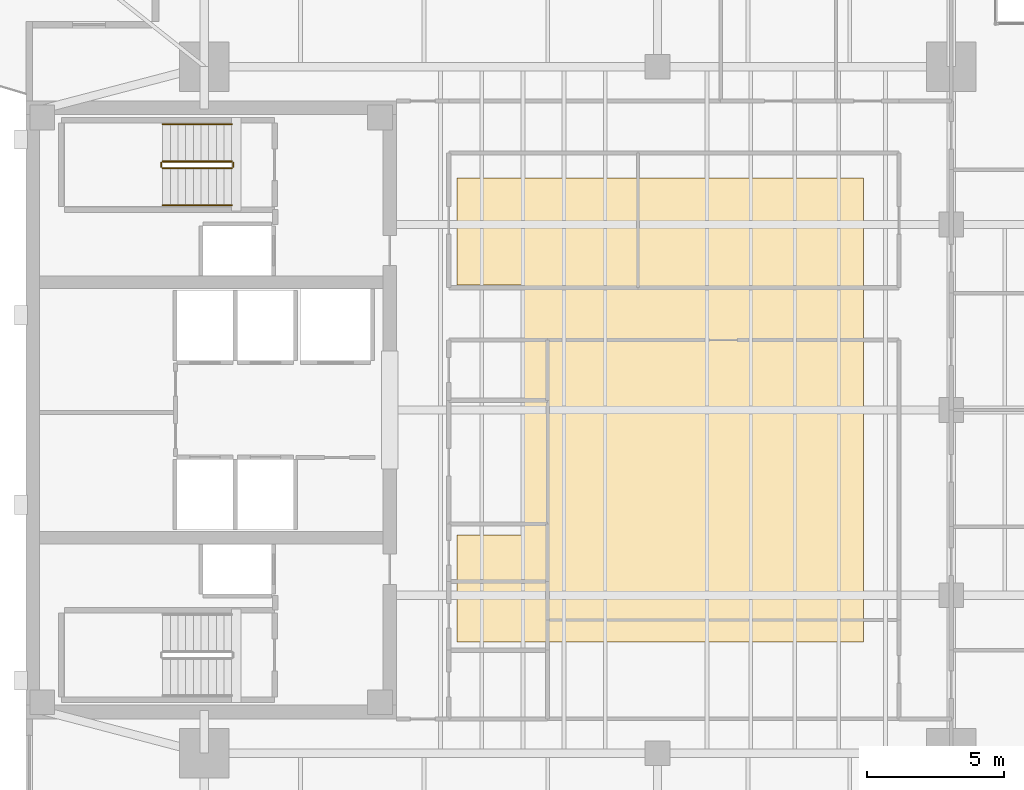
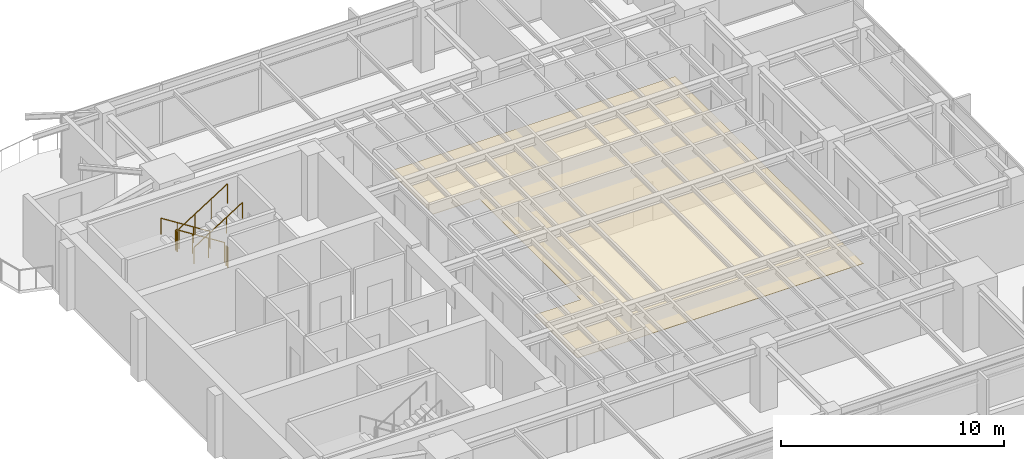
# One storey, part 13 of 14: 6 railings, 1 covering.
"""IFC4 building model written with IfcOpenShell, lengths in metres."""

from ifc_helpers import new_model, si_unit, direction, frame, origin, origin_2d, place, context, subcontext, project, spatial, polyline, circle, outline, extrude, material, layer, layer_set, type_object, element, save


model = new_model("IFC4")

# Units and contexts
model_context = context("Model", 3, precision=1e-05, world=origin(), true_north=direction((0.0, 1.0)))
body_context = subcontext(model_context, "Body", "Model", "MODEL_VIEW")
ifc_project = project(units=[si_unit("LENGTHUNIT", "METRE"), si_unit("AREAUNIT", "SQUARE_METRE"), si_unit("VOLUMEUNIT", "CUBIC_METRE"), si_unit("PLANEANGLEUNIT", "RADIAN"), si_unit("MASSUNIT", "GRAM", prefix="KILO")], contexts=[model_context])

# Site, building, storey
site_placement = place(None, origin())
site = spatial("IfcSite", under=ifc_project, at=site_placement, CompositionType="ELEMENT")
building_placement = place(site_placement, origin())
building = spatial("IfcBuilding", under=site, at=building_placement, Name="Kinhvarn Gate Tower", CompositionType="ELEMENT")
storey_placement = place(building_placement, frame((0.0, 0.0, 281.199951171875)))
storey = spatial("IfcBuildingStorey", under=building, at=storey_placement, Name="L75", CompositionType="ELEMENT", Elevation=281.199951171875)

# Covering
ifc_material_1 = material(Name="Mineral-fibre acoustic ceiling tile")
ifc_layer = layer(ifc_material_1, 0.02001953125)
ifc_layer_set = layer_set([ifc_layer], Name="Mineral-fibre acoustic ceiling tile")
covering_type = type_object("IfcCoveringType", Name="COV-CEIL-20", PredefinedType="CEILING", material=ifc_layer_set)
covering_placement = place(storey_placement, frame((0.0, 0.0, 2.650146484375)))
element("IfcCovering", 1, at=covering_placement, inside=storey, type_object=covering_type, Name="Suspended Acoustic Ceiling Tile (L75-1)", PredefinedType="CEILING", context=body_context, shape_type="SweptSolid", body=[
    extrude(outline(polyline([(35.0, 33.699951171875), (35.0, 16.800048828125), (20.199951171875, 16.800048828125), (20.199951171875, 20.699951171875), (22.60009765625, 20.699951171875), (22.60009765625, 29.800048828125), (20.199951171875, 29.800048828125), (20.199951171875, 33.699951171875), (35.0, 33.699951171875)])), origin(), (0.0, 0.0, 1.0), 0.02001953125),
])

# Railings
ifc_material_2 = material(Name="Steel S355", Category="steel")
railing_type_1 = type_object("IfcRailingType", Name="RL-ST-GRD", PredefinedType="BALUSTRADE", material=ifc_material_2)
railing_1_placement = place(storey_placement, frame((12.0, 34.300048828125, 0.177490234375)))
element("IfcRailing", 2, at=railing_1_placement, inside=storey, type_object=railing_type_1, Name="L75 ST2 stair guard 1", PredefinedType="BALUSTRADE", context=body_context, shape_type="SweptSolid", body=[
    extrude(circle(Radius=0.02392578125, at=origin_2d()), frame((0.0, 0.0, 1.076171875), z_axis=(-0.84456994832, 0.0, 0.535445237532), x_axis=(0.0, -1.0, 0.0)), (0.0, 0.0, 1.0), 2.98388671875),
    extrude(circle(Radius=0.02099609375, at=origin_2d()), origin(), (0.0, 0.0, 1.0), 1.052001953125),
    extrude(circle(Radius=0.02099609375, at=origin_2d()), frame((-0.840087890625, 0.0, 0.532470703125)), (0.0, 0.0, 1.0), 1.052001953125),
    extrude(circle(Radius=0.02099609375, at=origin_2d()), frame((-1.679931640625, 0.0, 1.065185546875)), (0.0, 0.0, 1.0), 1.052001953125),
    extrude(circle(Radius=0.02099609375, at=origin_2d()), frame((-2.52001953125, 0.0, 1.59765625)), (0.0, 0.0, 1.0), 1.052001953125),
])
railing_2_placement = place(storey_placement, frame((9.429931640625, 34.25, 1.775146484375)))
element("IfcRailing", 3, at=railing_2_placement, inside=storey, type_object=railing_type_1, Name="L75 ST2 stair guard 2", PredefinedType="BALUSTRADE", context=body_context, shape_type="SweptSolid", body=[
    extrude(circle(Radius=0.02392578125, at=origin_2d()), frame((0.0, 0.0, 1.076171875), z_axis=(0.0, -1.0, 0.0), x_axis=(1.0, 0.0, 0.0)), (0.0, 0.0, 1.0), 0.14990234375),
    extrude(circle(Radius=0.02099609375, at=origin_2d()), origin(), (0.0, 0.0, 1.0), 1.052001953125),
    extrude(circle(Radius=0.02099609375, at=origin_2d()), frame((0.0, -0.14990234375, 0.0)), (0.0, 0.0, 1.0), 1.052001953125),
])
railing_3_placement = place(storey_placement, frame((9.47998046875, 34.050048828125, 1.95263671875)))
element("IfcRailing", 4, at=railing_3_placement, inside=storey, type_object=railing_type_1, Name="L75 ST2 stair guard 3", PredefinedType="BALUSTRADE", context=body_context, shape_type="SweptSolid", body=[
    extrude(circle(Radius=0.02392578125, at=origin_2d()), frame((0.0, 0.0, 1.076171875), z_axis=(0.84460694969, 0.0, 0.535386869969), x_axis=(0.0, 1.0, 0.0)), (0.0, 0.0, 1.0), 2.983642578125),
    extrude(circle(Radius=0.02099609375, at=origin_2d()), origin(), (0.0, 0.0, 1.0), 1.052001953125),
    extrude(circle(Radius=0.02099609375, at=origin_2d()), frame((0.840087890625, 0.0, 0.532470703125)), (0.0, 0.0, 1.0), 1.052001953125),
    extrude(circle(Radius=0.02099609375, at=origin_2d()), frame((1.679931640625, 0.0, 1.06494140625)), (0.0, 0.0, 1.0), 1.052001953125),
    extrude(circle(Radius=0.02099609375, at=origin_2d()), frame((2.52001953125, 0.0, 1.597412109375)), (0.0, 0.0, 1.0), 1.052001953125),
])
railing_4_placement = place(storey_placement, frame((12.050048828125, 34.25, 0.0)))
element("IfcRailing", 5, at=railing_4_placement, inside=storey, type_object=railing_type_1, Name="L75 ST2 stair guard 4", PredefinedType="BALUSTRADE", context=body_context, shape_type="SweptSolid", body=[
    extrude(circle(Radius=0.02392578125, at=origin_2d()), frame((0.0, 0.0, 1.076171875), z_axis=(0.0, -1.0, 0.0), x_axis=(1.0, 0.0, 0.0)), (0.0, 0.0, 1.0), 0.14990234375),
    extrude(circle(Radius=0.02099609375, at=origin_2d()), origin(), (0.0, 0.0, 1.0), 1.052001953125),
    extrude(circle(Radius=0.02099609375, at=origin_2d()), frame((0.0, -0.14990234375, 0.0)), (0.0, 0.0, 1.0), 1.052001953125),
])
railing_type_2 = type_object("IfcRailingType", Name="RL-ST-HND", PredefinedType="HANDRAIL", material=ifc_material_2)
railing_5_placement = place(storey_placement, frame((12.0, 35.64990234375, 0.177490234375)))
element("IfcRailing", 6, at=railing_5_placement, inside=storey, type_object=railing_type_2, Name="L75 ST2 stair handrail 1", PredefinedType="HANDRAIL", context=body_context, shape_type="SweptSolid", body=[
    extrude(circle(Radius=0.02392578125, at=origin_2d()), frame((0.0, 0.0, 0.8759765625), z_axis=(-0.84456994832, 0.0, 0.535445237532), x_axis=(0.0, -1.0, 0.0)), (0.0, 0.0, 1.0), 2.98388671875),
    extrude(circle(Radius=0.02099609375, at=origin_2d()), origin(), (0.0, 0.0, 1.0), 0.851806640625),
    extrude(circle(Radius=0.02099609375, at=origin_2d()), frame((-0.840087890625, 0.0, 0.532470703125)), (0.0, 0.0, 1.0), 0.851806640625),
    extrude(circle(Radius=0.02099609375, at=origin_2d()), frame((-1.679931640625, 0.0, 1.065185546875)), (0.0, 0.0, 1.0), 0.851806640625),
    extrude(circle(Radius=0.02099609375, at=origin_2d()), frame((-2.52001953125, 0.0, 1.59765625)), (0.0, 0.0, 1.0), 0.851806640625),
])
railing_6_placement = place(storey_placement, frame((9.47998046875, 32.699951171875, 1.95263671875)))
element("IfcRailing", 7, at=railing_6_placement, inside=storey, type_object=railing_type_2, Name="L75 ST2 stair handrail 2", PredefinedType="HANDRAIL", context=body_context, shape_type="SweptSolid", body=[
    extrude(circle(Radius=0.02392578125, at=origin_2d()), frame((0.0, 0.0, 0.8759765625), z_axis=(0.84460694969, 0.0, 0.535386869969), x_axis=(0.0, 1.0, 0.0)), (0.0, 0.0, 1.0), 2.983642578125),
    extrude(circle(Radius=0.02099609375, at=origin_2d()), origin(), (0.0, 0.0, 1.0), 0.851806640625),
    extrude(circle(Radius=0.02099609375, at=origin_2d()), frame((0.840087890625, 0.0, 0.532470703125)), (0.0, 0.0, 1.0), 0.851806640625),
    extrude(circle(Radius=0.02099609375, at=origin_2d()), frame((1.679931640625, 0.0, 1.06494140625)), (0.0, 0.0, 1.0), 0.851806640625),
    extrude(circle(Radius=0.02099609375, at=origin_2d()), frame((2.52001953125, 0.0, 1.597412109375)), (0.0, 0.0, 1.0), 0.851806640625),
])

save(model, "model.ifc")
